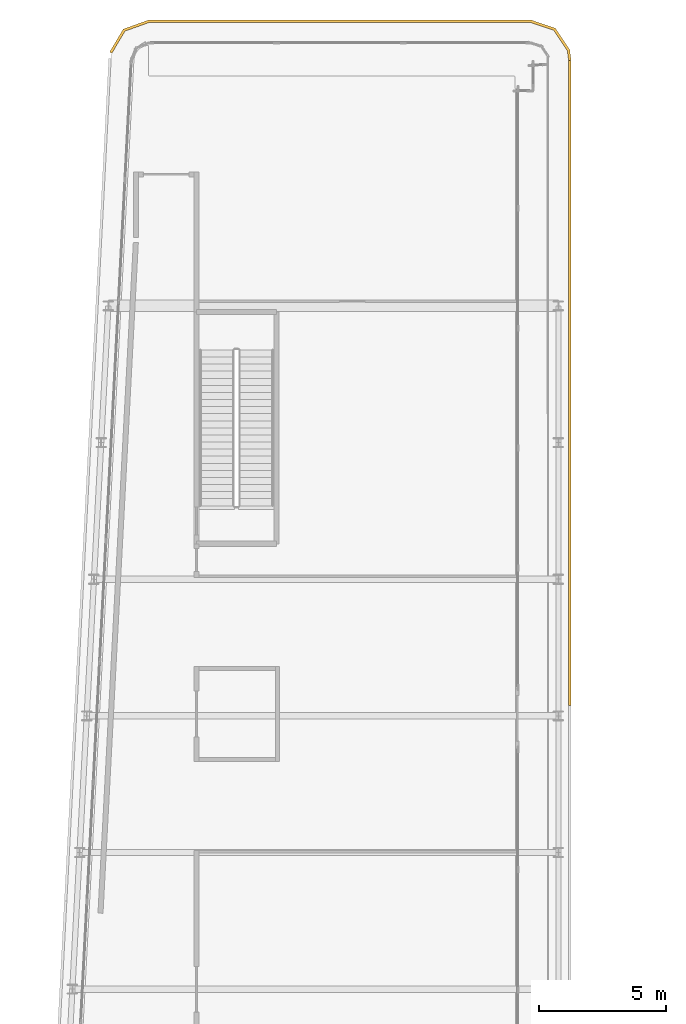
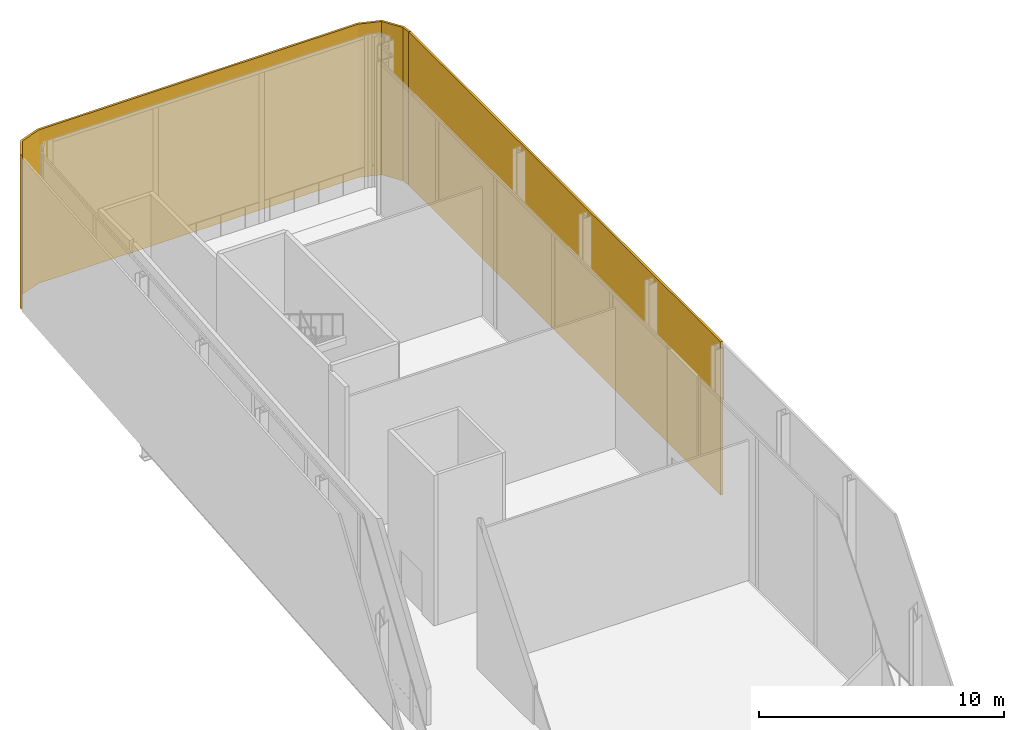
# One storey, part 27 of 27: 2 shading devices.
"""IFC4 building model written with IfcOpenShell, lengths in metres."""

from ifc_helpers import new_model, si_unit, direction, frame, origin, origin_2d, place, context, subcontext, project, spatial, polyline, rectangle, outline, extrude, material, layer, layer_set, type_object, element, save


model = new_model("IFC4")

# Units and contexts
model_context = context("Model", 3, precision=1e-05, world=origin(), true_north=direction((0.0, 1.0)))
body_context = subcontext(model_context, "Body", "Model", "MODEL_VIEW")
ifc_project = project(units=[si_unit("LENGTHUNIT", "METRE"), si_unit("AREAUNIT", "SQUARE_METRE"), si_unit("VOLUMEUNIT", "CUBIC_METRE"), si_unit("PLANEANGLEUNIT", "RADIAN"), si_unit("MASSUNIT", "GRAM", prefix="KILO")], contexts=[model_context])

# Site, building, storey
site_placement = place(None, origin())
site = spatial("IfcSite", under=ifc_project, at=site_placement, CompositionType="ELEMENT")
building_placement = place(site_placement, origin())
building = spatial("IfcBuilding", under=site, at=building_placement, Name="Kheshtan School and Residences Tower", CompositionType="ELEMENT")
storey_placement = place(building_placement, frame((0.0, 0.0, 266.89990234375)))
storey = spatial("IfcBuildingStorey", under=building, at=storey_placement, Name="L63", CompositionType="ELEMENT", Elevation=266.89990234375)

# Shading devices
ifc_material_1 = material(Name="Terracotta baguette, extruded ceramic", Category="masonry")
ifc_layer_1 = layer(ifc_material_1, 0.10009765625)
ifc_layer_set_1 = layer_set([ifc_layer_1], Name="Ledge screen, terracotta baguettes")
shading_device_type_1 = type_object("IfcShadingDeviceType", Name="Ledge screen, terracotta baguettes", PredefinedType="USERDEFINED", material=ifc_layer_set_1)
shading_device_1_placement = place(storey_placement, origin())
element("IfcShadingDevice", 1, at=shading_device_1_placement, inside=storey, type_object=shading_device_type_1, Name="Screen L63 1", ObjectType="BAGUETTE", PredefinedType="USERDEFINED", context=body_context, shape_type="SweptSolid", body=[
    extrude(outline(polyline([(29.949951171875, 98.783935546875), (30.468017578125, 99.656982421875), (31.423095703125, 100.0), (46.5, 100.0), (47.4130859375, 99.68994140625), (47.948974609375, 98.887939453125), (48.0, 98.5), (48.09912109375, 98.512939453125), (48.044921875, 98.924072265625), (47.47705078125, 99.77392578125), (46.51708984375, 100.10009765625), (31.406005859375, 100.10009765625), (30.39990234375, 99.739013671875), (29.864013671875, 98.8349609375), (29.949951171875, 98.783935546875)])), origin(), (0.0, 0.0, 1.0), 7.650146484375),
])
ifc_material_2 = material(Name="Terracotta lattice, extruded ceramic", Category="masonry")
ifc_layer_2 = layer(ifc_material_2, 0.10009765625)
ifc_layer_set_2 = layer_set([ifc_layer_2], Name="Loggia screen, terracotta lattice")
shading_device_type_2 = type_object("IfcShadingDeviceType", Name="Loggia screen, terracotta lattice", PredefinedType="USERDEFINED", material=ifc_layer_set_2)
shading_device_2_placement = place(storey_placement, frame((48.050048828125, 85.75, 0.000244140625), z_axis=(0.0, 0.0, 1.0), x_axis=(0.0, -1.0, 0.0)))
element("IfcShadingDevice", 2, at=shading_device_2_placement, inside=storey, type_object=shading_device_type_2, Name="Screen L63 2", ObjectType="SCREEN", PredefinedType="USERDEFINED", context=body_context, shape_type="SweptSolid", body=[
    extrude(rectangle(XDim=25.5, YDim=0.10009765625, at=origin_2d()), origin(), (0.0, 0.0, 1.0), 7.64990234375),
])

save(model, "model.ifc")
